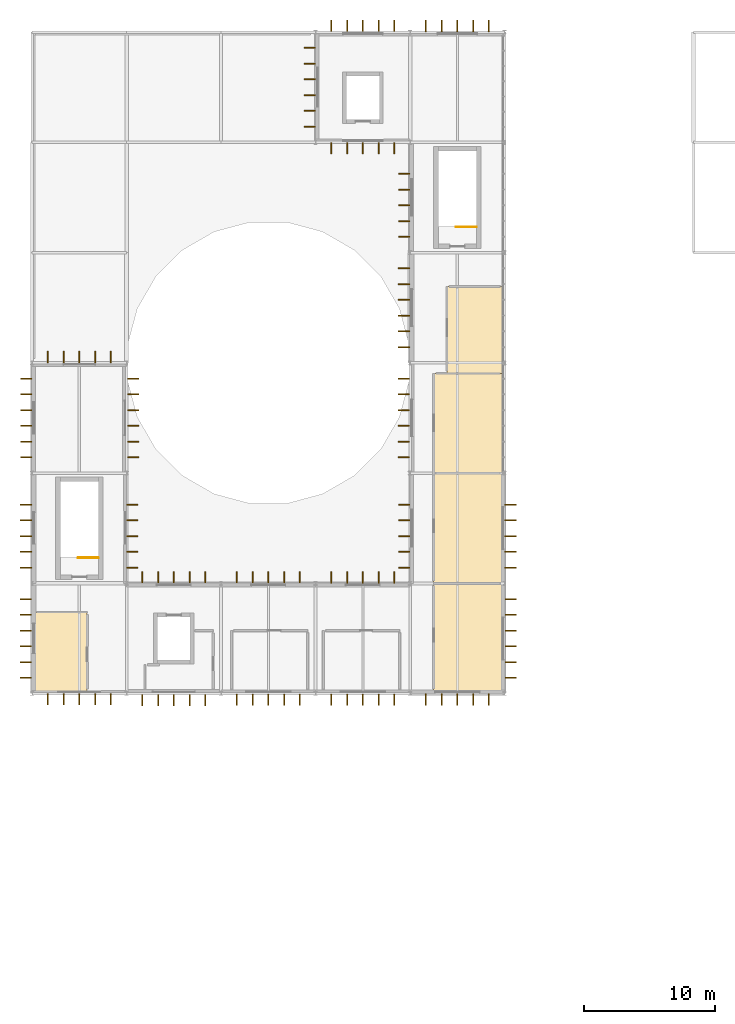
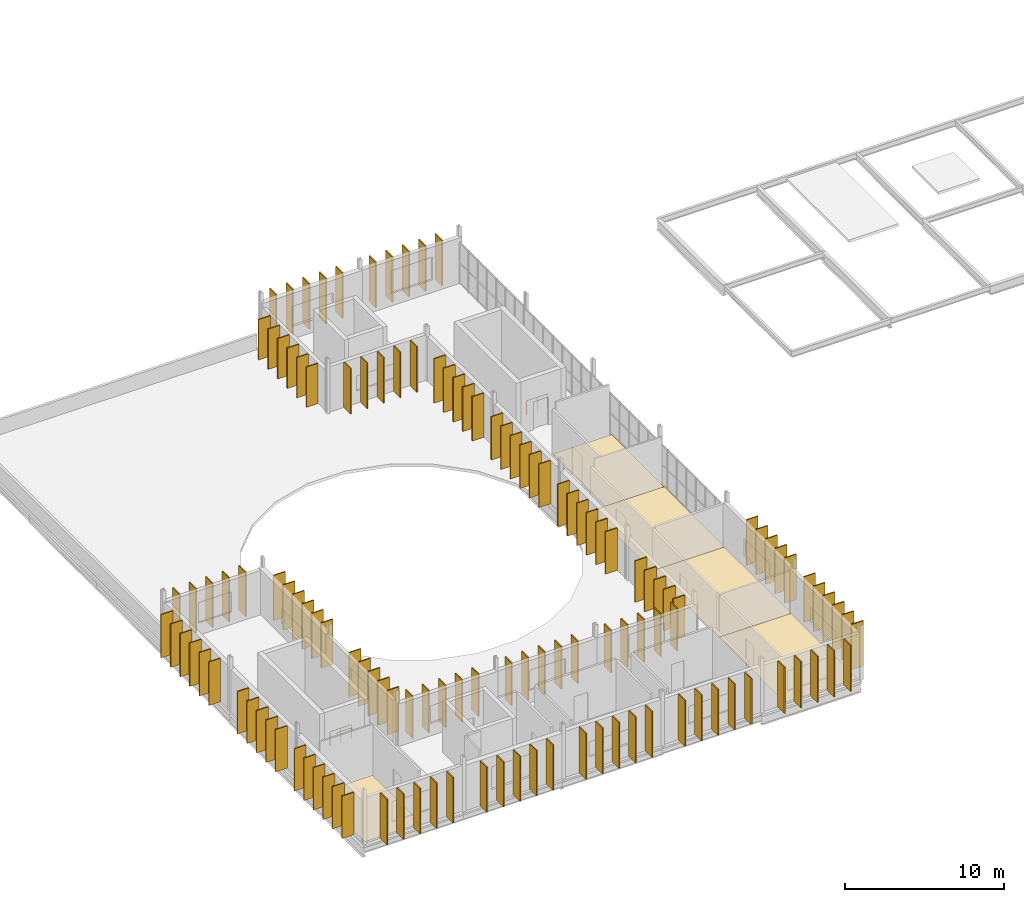
# One storey, part 18 of 18: 127 shading devices, 5 coverings, 2 railings.
"""IFC4 building model written with IfcOpenShell, lengths in metres."""

from ifc_helpers import new_model, si_unit, direction, frame, origin, origin_2d, place, context, subcontext, project, spatial, polyline, rectangle, circle, outline, extrude, material, layer, layer_set, type_object, element, save


model = new_model("IFC4")

# Units and contexts
model_context = context("Model", 3, precision=1e-05, world=origin(), true_north=direction((0.0, 1.0)))
body_context = subcontext(model_context, "Body", "Model", "MODEL_VIEW")
ifc_project = project(units=[si_unit("LENGTHUNIT", "METRE"), si_unit("AREAUNIT", "SQUARE_METRE"), si_unit("VOLUMEUNIT", "CUBIC_METRE"), si_unit("PLANEANGLEUNIT", "RADIAN"), si_unit("MASSUNIT", "GRAM", prefix="KILO")], contexts=[model_context])

# Site, building, storey
site_placement = place(None, origin())
site = spatial("IfcSite", under=ifc_project, at=site_placement, CompositionType="ELEMENT")
building_placement = place(site_placement, origin())
building = spatial("IfcBuilding", under=site, at=building_placement, Name="Qelthora Terrace Specialist Clinic", CompositionType="ELEMENT")
storey_placement = place(building_placement, frame((0.0, 0.0, 21.60009765625)))
storey = spatial("IfcBuildingStorey", under=building, at=storey_placement, Name="L05", CompositionType="ELEMENT", Elevation=21.60009765625)

# Coverings
ifc_material_1 = material(Name="Antimicrobial clinical linoleum flooring", Category="other")
ifc_layer = layer(ifc_material_1, 0.011962890625)
ifc_layer_set = layer_set([ifc_layer], Name="Antimicrobial clinical linoleum flooring")
covering_type = type_object("IfcCoveringType", Name="COV-FLR-LINO-12", PredefinedType="FLOORING", material=ifc_layer_set)
covering_1_placement = place(storey_placement, origin())
element("IfcCovering", 1, at=covering_1_placement, inside=storey, type_object=covering_type, Name="Recovery Family Quiet Lounge L05-01 resilient linoleum flooring", PredefinedType="FLOORING", context=body_context, shape_type="SweptSolid", body=[
    extrude(outline(polyline([(7.35009765625, 58.929931640625), (7.35009765625, 65.0), (11.39990234375, 65.0), (11.39990234375, 58.929931640625), (7.35009765625, 58.929931640625)])), origin(), (0.0, 0.0, 1.0), 0.011962890625),
])
covering_2_placement = place(storey_placement, origin())
element("IfcCovering", 2, at=covering_2_placement, inside=storey, type_object=covering_type, Name="Post-Procedure Observation Suite L05-08 resilient linoleum flooring", PredefinedType="FLOORING", context=body_context, shape_type="SweptSolid", body=[
    extrude(outline(polyline([(37.800048828125, 67.199951171875), (43.050048828125, 67.199951171875), (43.050048828125, 58.929931640625), (37.800048828125, 58.929931640625), (37.800048828125, 67.199951171875)])), origin(), (0.0, 0.0, 1.0), 0.011962890625),
])
covering_3_placement = place(storey_placement, origin())
element("IfcCovering", 3, at=covering_3_placement, inside=storey, type_object=covering_type, Name="Gable Day-Recovery House Suites West L05-02 resilient linoleum flooring", PredefinedType="FLOORING", context=body_context, shape_type="SweptSolid", body=[
    extrude(outline(polyline([(37.800048828125, 67.205078125), (37.800048828125, 75.60009765625), (43.050048828125, 75.60009765625), (43.050048828125, 67.205078125), (37.800048828125, 67.205078125)])), origin(), (0.0, 0.0, 1.0), 0.011962890625),
])
covering_4_placement = place(storey_placement, origin())
element("IfcCovering", 4, at=covering_4_placement, inside=storey, type_object=covering_type, Name="Gable Day-Recovery House Suites East L05-03 resilient linoleum flooring", PredefinedType="FLOORING", context=body_context, shape_type="SweptSolid", body=[
    extrude(outline(polyline([(37.800048828125, 75.60498046875), (37.800048828125, 83.199951171875), (43.050048828125, 83.199951171875), (43.050048828125, 75.60498046875), (37.800048828125, 75.60498046875)])), origin(), (0.0, 0.0, 1.0), 0.011962890625),
])
covering_5_placement = place(storey_placement, origin())
element("IfcCovering", 5, at=covering_5_placement, inside=storey, type_object=covering_type, Name="Glazed Central Nurse Monitoring Station L05-04 resilient linoleum flooring", PredefinedType="FLOORING", context=body_context, shape_type="SweptSolid", body=[
    extrude(outline(polyline([(38.800048828125, 83.205078125), (38.800048828125, 89.800048828125), (43.050048828125, 89.800048828125), (43.050048828125, 83.205078125), (38.800048828125, 83.205078125)])), origin(), (0.0, 0.0, 1.0), 0.011962890625),
])

# Railings
ifc_material_2 = material(Name="Steel S355", Category="steel")
railing_type = type_object("IfcRailingType", Name="RAL-GD-1100-S355", PredefinedType="GUARDRAIL", material=ifc_material_2)
for number, where, name in (
    (6, (12.25, 69.14990234375, 0.0), "L05 ST-01 top well guard 1"),
    (7, (41.050048828125, 94.35009765625, 0.0), "L05 ST-02 top well guard 1"),
):
    element("IfcRailing", number, at=place(storey_placement, frame(where)), inside=storey, type_object=railing_type, Name=name, PredefinedType="GUARDRAIL", context=body_context, shape_type="SweptSolid", body=[
        extrude(circle(Radius=0.02392578125, at=origin_2d()), frame((0.0, 0.0, 1.076171875), z_axis=(-1.0, 0.0, 0.0), x_axis=(0.0, -1.0, 0.0)), (0.0, 0.0, 1.0), 1.550048828125),
        extrude(circle(Radius=0.02099609375, at=origin_2d()), origin(), (0.0, 0.0, 1.0), 1.052001953125),
        extrude(circle(Radius=0.02099609375, at=origin_2d()), frame((-0.77490234375, 0.0, 0.0)), (0.0, 0.0, 1.0), 1.052001953125),
        extrude(circle(Radius=0.02099609375, at=origin_2d()), frame((-1.550048828125, 0.0, 0.0)), (0.0, 0.0, 1.0), 1.052001953125),
    ])

# Shading devices
ifc_material_3 = material(Name="Glulam timber GL28h", Category="wood")
shading_device_type = type_object("IfcShadingDeviceType", Name="SHD-FIN-850", PredefinedType="USERDEFINED", material=ifc_material_3)
for number, where, z_axis, x_axis, name in (
    (8, (6.705078125, 60.0, 0.0), (0.0, 0.0, 1.0), (-1.0, 0.0, 0.0), "Exterior solar shading fin FIN-2034"),
    (9, (6.705078125, 61.199951171875, 0.0), (0.0, 0.0, 1.0), (-1.0, 0.0, 0.0), "Exterior solar shading fin FIN-2035"),
    (10, (6.705078125, 62.39990234375, 0.0), (0.0, 0.0, 1.0), (-1.0, 0.0, 0.0), "Exterior solar shading fin FIN-2036"),
    (11, (6.705078125, 63.60009765625, 0.0), (0.0, 0.0, 1.0), (-1.0, 0.0, 0.0), "Exterior solar shading fin FIN-2037"),
    (12, (6.705078125, 64.800048828125, 0.0), (0.0, 0.0, 1.0), (-1.0, 0.0, 0.0), "Exterior solar shading fin FIN-2038"),
    (13, (6.705078125, 66.0, 0.0), (0.0, 0.0, 1.0), (-1.0, 0.0, 0.0), "Exterior solar shading fin FIN-2039"),
    (14, (6.735107421875, 68.39990234375, 0.0), (0.0, 0.0, 1.0), (-1.0, 0.0, 0.0), "Exterior solar shading fin FIN-2040"),
    (15, (6.735107421875, 69.60009765625, 0.0), (0.0, 0.0, 1.0), (-1.0, 0.0, 0.0), "Exterior solar shading fin FIN-2041"),
    (16, (6.735107421875, 70.800048828125, 0.0), (0.0, 0.0, 1.0), (-1.0, 0.0, 0.0), "Exterior solar shading fin FIN-2042"),
    (17, (6.735107421875, 72.0, 0.0), (0.0, 0.0, 1.0), (-1.0, 0.0, 0.0), "Exterior solar shading fin FIN-2043"),
    (18, (6.735107421875, 73.199951171875, 0.0), (0.0, 0.0, 1.0), (-1.0, 0.0, 0.0), "Exterior solar shading fin FIN-2044"),
):
    element("IfcShadingDevice", number, at=place(storey_placement, frame(where, z_axis=z_axis, x_axis=x_axis)), inside=storey, type_object=shading_device_type, Name=name, ObjectType="FIN", PredefinedType="USERDEFINED", context=body_context, shape_type="SweptSolid", body=[
        extrude(rectangle(XDim=0.85009765625, YDim=0.080078125, at=origin_2d()), origin(), (0.0, 0.0, 1.0), 3.2490234375),
    ])
for number, where, z_axis, x_axis, name in (
    (19, (6.7451171875, 76.800048828125, 0.0), (0.0, 0.0, 1.0), (-1.0, 0.0, 0.0), "Exterior solar shading fin FIN-2045"),
    (20, (6.7451171875, 78.0, 0.0), (0.0, 0.0, 1.0), (-1.0, 0.0, 0.0), "Exterior solar shading fin FIN-2046"),
    (21, (6.7451171875, 79.199951171875, 0.0), (0.0, 0.0, 1.0), (-1.0, 0.0, 0.0), "Exterior solar shading fin FIN-2047"),
    (22, (6.7451171875, 80.39990234375, 0.0), (0.0, 0.0, 1.0), (-1.0, 0.0, 0.0), "Exterior solar shading fin FIN-2048"),
    (23, (6.7451171875, 81.60009765625, 0.0), (0.0, 0.0, 1.0), (-1.0, 0.0, 0.0), "Exterior solar shading fin FIN-2049"),
    (24, (6.7451171875, 82.800048828125, 0.0), (0.0, 0.0, 1.0), (-1.0, 0.0, 0.0), "Exterior solar shading fin FIN-2050"),
):
    element("IfcShadingDevice", number, at=place(storey_placement, frame(where, z_axis=z_axis, x_axis=x_axis)), inside=storey, type_object=shading_device_type, Name=name, ObjectType="FIN", PredefinedType="USERDEFINED", context=body_context, shape_type="SweptSolid", body=[
        extrude(rectangle(XDim=0.85009765625, YDim=0.080078125, at=origin_2d()), origin(), (0.0, 0.0, 1.0), 3.324951171875),
    ])
for number, where, z_axis, x_axis, name in (
    (25, (8.39990234375, 84.445068359375, 0.0), (0.0, 0.0, 1.0), (0.0, 1.0, 0.0), "Exterior solar shading fin FIN-2051"),
    (26, (9.60009765625, 84.445068359375, 0.0), (0.0, 0.0, 1.0), (0.0, 1.0, 0.0), "Exterior solar shading fin FIN-2052"),
    (27, (10.800048828125, 84.445068359375, 0.0), (0.0, 0.0, 1.0), (0.0, 1.0, 0.0), "Exterior solar shading fin FIN-2053"),
    (28, (12.0, 84.445068359375, 0.0), (0.0, 0.0, 1.0), (0.0, 1.0, 0.0), "Exterior solar shading fin FIN-2054"),
    (29, (13.199951171875, 84.445068359375, 0.0), (0.0, 0.0, 1.0), (0.0, 1.0, 0.0), "Exterior solar shading fin FIN-2055"),
    (30, (14.8349609375, 68.39990234375, 0.0), (0.0, 0.0, 1.0), (1.0, 0.0, 0.0), "Exterior solar shading fin FIN-2056"),
    (31, (14.8349609375, 69.60009765625, 0.0), (0.0, 0.0, 1.0), (1.0, 0.0, 0.0), "Exterior solar shading fin FIN-2057"),
    (32, (14.8349609375, 70.800048828125, 0.0), (0.0, 0.0, 1.0), (1.0, 0.0, 0.0), "Exterior solar shading fin FIN-2058"),
    (33, (14.8349609375, 72.0, 0.0), (0.0, 0.0, 1.0), (1.0, 0.0, 0.0), "Exterior solar shading fin FIN-2059"),
    (34, (14.8349609375, 73.199951171875, 0.0), (0.0, 0.0, 1.0), (1.0, 0.0, 0.0), "Exterior solar shading fin FIN-2060"),
):
    element("IfcShadingDevice", number, at=place(storey_placement, frame(where, z_axis=z_axis, x_axis=x_axis)), inside=storey, type_object=shading_device_type, Name=name, ObjectType="FIN", PredefinedType="USERDEFINED", context=body_context, shape_type="SweptSolid", body=[
        extrude(rectangle(XDim=0.85009765625, YDim=0.080078125, at=origin_2d()), origin(), (0.0, 0.0, 1.0), 3.405029296875),
    ])
for number, where, z_axis, x_axis, name in (
    (35, (14.89501953125, 76.800048828125, -0.000244140625), (0.0, 0.0, 1.0), (1.0, 0.0, 0.0), "Exterior solar shading fin FIN-2061"),
    (36, (14.89501953125, 78.0, -0.000244140625), (0.0, 0.0, 1.0), (1.0, 0.0, 0.0), "Exterior solar shading fin FIN-2062"),
    (37, (14.89501953125, 79.199951171875, -0.000244140625), (0.0, 0.0, 1.0), (1.0, 0.0, 0.0), "Exterior solar shading fin FIN-2063"),
    (38, (14.89501953125, 80.39990234375, -0.000244140625), (0.0, 0.0, 1.0), (1.0, 0.0, 0.0), "Exterior solar shading fin FIN-2064"),
    (39, (14.89501953125, 81.60009765625, -0.000244140625), (0.0, 0.0, 1.0), (1.0, 0.0, 0.0), "Exterior solar shading fin FIN-2065"),
    (40, (14.89501953125, 82.800048828125, -0.000244140625), (0.0, 0.0, 1.0), (1.0, 0.0, 0.0), "Exterior solar shading fin FIN-2066"),
):
    element("IfcShadingDevice", number, at=place(storey_placement, frame(where, z_axis=z_axis, x_axis=x_axis)), inside=storey, type_object=shading_device_type, Name=name, ObjectType="FIN", PredefinedType="USERDEFINED", context=body_context, shape_type="SweptSolid", body=[
        extrude(rectangle(XDim=0.85009765625, YDim=0.080078125, at=origin_2d()), origin(), (0.0, 0.0, 1.0), 3.47607421875),
    ])
for number, where, z_axis, x_axis, name in (
    (41, (15.60009765625, 67.6650390625, 0.0), (0.0, 0.0, 1.0), (0.0, 1.0, 0.0), "Exterior solar shading fin FIN-2067"),
    (42, (16.800048828125, 67.6650390625, 0.0), (0.0, 0.0, 1.0), (0.0, 1.0, 0.0), "Exterior solar shading fin FIN-2068"),
    (43, (18.0, 67.6650390625, 0.0), (0.0, 0.0, 1.0), (0.0, 1.0, 0.0), "Exterior solar shading fin FIN-2069"),
    (44, (19.199951171875, 67.6650390625, 0.0), (0.0, 0.0, 1.0), (0.0, 1.0, 0.0), "Exterior solar shading fin FIN-2070"),
    (45, (20.39990234375, 67.6650390625, 0.0), (0.0, 0.0, 1.0), (0.0, 1.0, 0.0), "Exterior solar shading fin FIN-2071"),
    (46, (22.800048828125, 67.655029296875, 0.0), (0.0, 0.0, 1.0), (0.0, 1.0, 0.0), "Exterior solar shading fin FIN-2072"),
    (47, (24.0, 67.655029296875, 0.0), (0.0, 0.0, 1.0), (0.0, 1.0, 0.0), "Exterior solar shading fin FIN-2073"),
    (48, (25.199951171875, 67.655029296875, 0.0), (0.0, 0.0, 1.0), (0.0, 1.0, 0.0), "Exterior solar shading fin FIN-2074"),
    (49, (26.39990234375, 67.655029296875, 0.0), (0.0, 0.0, 1.0), (0.0, 1.0, 0.0), "Exterior solar shading fin FIN-2075"),
    (50, (27.60009765625, 67.655029296875, 0.0), (0.0, 0.0, 1.0), (0.0, 1.0, 0.0), "Exterior solar shading fin FIN-2076"),
    (51, (30.0, 67.64501953125, 0.0), (0.0, 0.0, 1.0), (0.0, 1.0, 0.0), "Exterior solar shading fin FIN-2077"),
    (52, (31.199951171875, 67.64501953125, 0.0), (0.0, 0.0, 1.0), (0.0, 1.0, 0.0), "Exterior solar shading fin FIN-2078"),
    (53, (32.39990234375, 67.64501953125, 0.0), (0.0, 0.0, 1.0), (0.0, 1.0, 0.0), "Exterior solar shading fin FIN-2079"),
    (54, (33.60009765625, 67.64501953125, 0.0), (0.0, 0.0, 1.0), (0.0, 1.0, 0.0), "Exterior solar shading fin FIN-2080"),
    (55, (34.800048828125, 67.64501953125, 0.0), (0.0, 0.0, 1.0), (0.0, 1.0, 0.0), "Exterior solar shading fin FIN-2081"),
):
    element("IfcShadingDevice", number, at=place(storey_placement, frame(where, z_axis=z_axis, x_axis=x_axis)), inside=storey, type_object=shading_device_type, Name=name, ObjectType="FIN", PredefinedType="USERDEFINED", context=body_context, shape_type="SweptSolid", body=[
        extrude(rectangle(XDim=0.85009765625, YDim=0.080078125, at=origin_2d()), origin(), (0.0, 0.0, 1.0), 3.2490234375),
    ])
for number, where, z_axis, x_axis, name in (
    (56, (35.56494140625, 68.39990234375, 0.0), (0.0, 0.0, 1.0), (-1.0, 0.0, 0.0), "Exterior solar shading fin FIN-2082"),
    (57, (35.56494140625, 69.60009765625, 0.0), (0.0, 0.0, 1.0), (-1.0, 0.0, 0.0), "Exterior solar shading fin FIN-2083"),
    (58, (35.56494140625, 70.800048828125, 0.0), (0.0, 0.0, 1.0), (-1.0, 0.0, 0.0), "Exterior solar shading fin FIN-2084"),
    (59, (35.56494140625, 72.0, 0.0), (0.0, 0.0, 1.0), (-1.0, 0.0, 0.0), "Exterior solar shading fin FIN-2085"),
    (60, (35.56494140625, 73.199951171875, 0.0), (0.0, 0.0, 1.0), (-1.0, 0.0, 0.0), "Exterior solar shading fin FIN-2086"),
):
    element("IfcShadingDevice", number, at=place(storey_placement, frame(where, z_axis=z_axis, x_axis=x_axis)), inside=storey, type_object=shading_device_type, Name=name, ObjectType="FIN", PredefinedType="USERDEFINED", context=body_context, shape_type="SweptSolid", body=[
        extrude(rectangle(XDim=0.85009765625, YDim=0.080078125, at=origin_2d()), origin(), (0.0, 0.0, 1.0), 3.172119140625),
    ])
for number, where, z_axis, x_axis, name in (
    (61, (35.5048828125, 76.800048828125, 0.0), (0.0, 0.0, 1.0), (-1.0, 0.0, 0.0), "Exterior solar shading fin FIN-2087"),
    (62, (35.5048828125, 78.0, 0.0), (0.0, 0.0, 1.0), (-1.0, 0.0, 0.0), "Exterior solar shading fin FIN-2088"),
    (63, (35.5048828125, 79.199951171875, 0.0), (0.0, 0.0, 1.0), (-1.0, 0.0, 0.0), "Exterior solar shading fin FIN-2089"),
    (64, (35.5048828125, 80.39990234375, 0.0), (0.0, 0.0, 1.0), (-1.0, 0.0, 0.0), "Exterior solar shading fin FIN-2090"),
    (65, (35.5048828125, 81.60009765625, 0.0), (0.0, 0.0, 1.0), (-1.0, 0.0, 0.0), "Exterior solar shading fin FIN-2091"),
    (66, (35.5048828125, 82.800048828125, 0.0), (0.0, 0.0, 1.0), (-1.0, 0.0, 0.0), "Exterior solar shading fin FIN-2092"),
):
    element("IfcShadingDevice", number, at=place(storey_placement, frame(where, z_axis=z_axis, x_axis=x_axis)), inside=storey, type_object=shading_device_type, Name=name, ObjectType="FIN", PredefinedType="USERDEFINED", context=body_context, shape_type="SweptSolid", body=[
        extrude(rectangle(XDim=0.85009765625, YDim=0.080078125, at=origin_2d()), origin(), (0.0, 0.0, 1.0), 3.2490234375),
    ])
for number, where, z_axis, x_axis, name in (
    (67, (35.534912109375, 85.199951171875, 0.0), (0.0, 0.0, 1.0), (-1.0, 0.0, 0.0), "Exterior solar shading fin FIN-2093"),
    (68, (35.534912109375, 86.39990234375, 0.0), (0.0, 0.0, 1.0), (-1.0, 0.0, 0.0), "Exterior solar shading fin FIN-2094"),
    (69, (35.534912109375, 87.60009765625, 0.0), (0.0, 0.0, 1.0), (-1.0, 0.0, 0.0), "Exterior solar shading fin FIN-2095"),
    (70, (35.534912109375, 88.800048828125, 0.0), (0.0, 0.0, 1.0), (-1.0, 0.0, 0.0), "Exterior solar shading fin FIN-2096"),
    (71, (35.534912109375, 90.0, 0.0), (0.0, 0.0, 1.0), (-1.0, 0.0, 0.0), "Exterior solar shading fin FIN-2097"),
    (72, (35.534912109375, 91.199951171875, 0.0), (0.0, 0.0, 1.0), (-1.0, 0.0, 0.0), "Exterior solar shading fin FIN-2098"),
):
    element("IfcShadingDevice", number, at=place(storey_placement, frame(where, z_axis=z_axis, x_axis=x_axis)), inside=storey, type_object=shading_device_type, Name=name, ObjectType="FIN", PredefinedType="USERDEFINED", context=body_context, shape_type="SweptSolid", body=[
        extrude(rectangle(XDim=0.85009765625, YDim=0.080078125, at=origin_2d()), origin(), (0.0, 0.0, 1.0), 3.324951171875),
    ])
for number, where, z_axis, x_axis, name in (
    (73, (35.544921875, 93.60009765625, 0.0), (0.0, 0.0, 1.0), (-1.0, 0.0, 0.0), "Exterior solar shading fin FIN-2099"),
    (74, (35.544921875, 94.800048828125, 0.0), (0.0, 0.0, 1.0), (-1.0, 0.0, 0.0), "Exterior solar shading fin FIN-2100"),
    (75, (35.544921875, 96.0, 0.0), (0.0, 0.0, 1.0), (-1.0, 0.0, 0.0), "Exterior solar shading fin FIN-2101"),
    (76, (35.544921875, 97.199951171875, 0.0), (0.0, 0.0, 1.0), (-1.0, 0.0, 0.0), "Exterior solar shading fin FIN-2102"),
    (77, (35.544921875, 98.39990234375, 0.0), (0.0, 0.0, 1.0), (-1.0, 0.0, 0.0), "Exterior solar shading fin FIN-2103"),
):
    element("IfcShadingDevice", number, at=place(storey_placement, frame(where, z_axis=z_axis, x_axis=x_axis)), inside=storey, type_object=shading_device_type, Name=name, ObjectType="FIN", PredefinedType="USERDEFINED", context=body_context, shape_type="SweptSolid", body=[
        extrude(rectangle(XDim=0.85009765625, YDim=0.080078125, at=origin_2d()), origin(), (0.0, 0.0, 1.0), 3.39794921875),
    ])
for number, where, z_axis, x_axis, name in (
    (78, (30.0, 100.35498046875, 0.0), (0.0, 0.0, 1.0), (0.0, -1.0, 0.0), "Exterior solar shading fin FIN-2104"),
    (79, (31.199951171875, 100.35498046875, 0.0), (0.0, 0.0, 1.0), (0.0, -1.0, 0.0), "Exterior solar shading fin FIN-2105"),
    (80, (32.39990234375, 100.35498046875, 0.0), (0.0, 0.0, 1.0), (0.0, -1.0, 0.0), "Exterior solar shading fin FIN-2106"),
    (81, (33.60009765625, 100.35498046875, 0.0), (0.0, 0.0, 1.0), (0.0, -1.0, 0.0), "Exterior solar shading fin FIN-2107"),
    (82, (34.800048828125, 100.35498046875, 0.0), (0.0, 0.0, 1.0), (0.0, -1.0, 0.0), "Exterior solar shading fin FIN-2108"),
):
    element("IfcShadingDevice", number, at=place(storey_placement, frame(where, z_axis=z_axis, x_axis=x_axis)), inside=storey, type_object=shading_device_type, Name=name, ObjectType="FIN", PredefinedType="USERDEFINED", context=body_context, shape_type="SweptSolid", body=[
        extrude(rectangle(XDim=0.85009765625, YDim=0.080078125, at=origin_2d()), origin(), (0.0, 0.0, 1.0), 3.48193359375),
    ])
for number, where, z_axis, x_axis, name in (
    (83, (28.364990234375, 102.0, 0.0), (0.0, 0.0, 1.0), (-1.0, 0.0, 0.0), "Exterior solar shading fin FIN-2109"),
    (84, (28.364990234375, 103.199951171875, 0.0), (0.0, 0.0, 1.0), (-1.0, 0.0, 0.0), "Exterior solar shading fin FIN-2110"),
    (85, (28.364990234375, 104.39990234375, 0.0), (0.0, 0.0, 1.0), (-1.0, 0.0, 0.0), "Exterior solar shading fin FIN-2111"),
    (86, (28.364990234375, 105.60009765625, 0.0), (0.0, 0.0, 1.0), (-1.0, 0.0, 0.0), "Exterior solar shading fin FIN-2112"),
    (87, (28.364990234375, 106.800048828125, 0.0), (0.0, 0.0, 1.0), (-1.0, 0.0, 0.0), "Exterior solar shading fin FIN-2113"),
    (88, (28.364990234375, 108.0, 0.0), (0.0, 0.0, 1.0), (-1.0, 0.0, 0.0), "Exterior solar shading fin FIN-2114"),
):
    element("IfcShadingDevice", number, at=place(storey_placement, frame(where, z_axis=z_axis, x_axis=x_axis)), inside=storey, type_object=shading_device_type, Name=name, ObjectType="FIN", PredefinedType="USERDEFINED", context=body_context, shape_type="SweptSolid", body=[
        extrude(rectangle(XDim=0.85009765625, YDim=0.080078125, at=origin_2d()), origin(), (0.0, 0.0, 1.0), 3.091064453125),
    ])
for number, where, z_axis, x_axis, name in (
    (89, (30.0, 109.695068359375, 0.0), (0.0, 0.0, 1.0), (0.0, 1.0, 0.0), "Exterior solar shading fin FIN-2115"),
    (90, (31.199951171875, 109.695068359375, 0.0), (0.0, 0.0, 1.0), (0.0, 1.0, 0.0), "Exterior solar shading fin FIN-2116"),
    (91, (32.39990234375, 109.695068359375, 0.0), (0.0, 0.0, 1.0), (0.0, 1.0, 0.0), "Exterior solar shading fin FIN-2117"),
    (92, (33.60009765625, 109.695068359375, 0.0), (0.0, 0.0, 1.0), (0.0, 1.0, 0.0), "Exterior solar shading fin FIN-2118"),
    (93, (34.800048828125, 109.695068359375, 0.0), (0.0, 0.0, 1.0), (0.0, 1.0, 0.0), "Exterior solar shading fin FIN-2119"),
    (94, (37.199951171875, 109.6650390625, 0.0), (0.0, 0.0, 1.0), (0.0, 1.0, 0.0), "Exterior solar shading fin FIN-2120"),
    (95, (38.39990234375, 109.6650390625, 0.0), (0.0, 0.0, 1.0), (0.0, 1.0, 0.0), "Exterior solar shading fin FIN-2121"),
    (96, (39.60009765625, 109.6650390625, 0.0), (0.0, 0.0, 1.0), (0.0, 1.0, 0.0), "Exterior solar shading fin FIN-2122"),
    (97, (40.800048828125, 109.6650390625, 0.0), (0.0, 0.0, 1.0), (0.0, 1.0, 0.0), "Exterior solar shading fin FIN-2123"),
    (98, (42.0, 109.6650390625, 0.0), (0.0, 0.0, 1.0), (0.0, 1.0, 0.0), "Exterior solar shading fin FIN-2124"),
    (99, (43.655029296875, 60.0, 0.0), (0.0, 0.0, 1.0), (1.0, 0.0, 0.0), "Exterior solar shading fin FIN-2125"),
    (100, (43.655029296875, 61.199951171875, 0.0), (0.0, 0.0, 1.0), (1.0, 0.0, 0.0), "Exterior solar shading fin FIN-2126"),
    (101, (43.655029296875, 62.39990234375, 0.0), (0.0, 0.0, 1.0), (1.0, 0.0, 0.0), "Exterior solar shading fin FIN-2127"),
    (102, (43.655029296875, 63.60009765625, 0.0), (0.0, 0.0, 1.0), (1.0, 0.0, 0.0), "Exterior solar shading fin FIN-2128"),
    (103, (43.655029296875, 64.800048828125, 0.0), (0.0, 0.0, 1.0), (1.0, 0.0, 0.0), "Exterior solar shading fin FIN-2129"),
    (104, (43.655029296875, 66.0, 0.0), (0.0, 0.0, 1.0), (1.0, 0.0, 0.0), "Exterior solar shading fin FIN-2130"),
    (105, (43.64501953125, 68.39990234375, 0.0), (0.0, 0.0, 1.0), (1.0, 0.0, 0.0), "Exterior solar shading fin FIN-2131"),
    (106, (43.64501953125, 69.60009765625, 0.0), (0.0, 0.0, 1.0), (1.0, 0.0, 0.0), "Exterior solar shading fin FIN-2132"),
    (107, (43.64501953125, 70.800048828125, 0.0), (0.0, 0.0, 1.0), (1.0, 0.0, 0.0), "Exterior solar shading fin FIN-2133"),
    (108, (43.64501953125, 72.0, 0.0), (0.0, 0.0, 1.0), (1.0, 0.0, 0.0), "Exterior solar shading fin FIN-2134"),
    (109, (43.64501953125, 73.199951171875, 0.0), (0.0, 0.0, 1.0), (1.0, 0.0, 0.0), "Exterior solar shading fin FIN-2135"),
    (110, (8.39990234375, 58.364990234375, 0.0), (0.0, 0.0, 1.0), (0.0, -1.0, 0.0), "Exterior solar shading fin FIN-2136"),
    (111, (9.60009765625, 58.364990234375, 0.0), (0.0, 0.0, 1.0), (0.0, -1.0, 0.0), "Exterior solar shading fin FIN-2137"),
    (112, (10.800048828125, 58.364990234375, 0.0), (0.0, 0.0, 1.0), (0.0, -1.0, 0.0), "Exterior solar shading fin FIN-2138"),
    (113, (12.0, 58.364990234375, 0.0), (0.0, 0.0, 1.0), (0.0, -1.0, 0.0), "Exterior solar shading fin FIN-2139"),
    (114, (13.199951171875, 58.364990234375, 0.0), (0.0, 0.0, 1.0), (0.0, -1.0, 0.0), "Exterior solar shading fin FIN-2140"),
    (115, (15.60009765625, 58.304931640625, 0.0), (0.0, 0.0, 1.0), (0.0, -1.0, 0.0), "Exterior solar shading fin FIN-2141"),
    (116, (16.800048828125, 58.304931640625, 0.0), (0.0, 0.0, 1.0), (0.0, -1.0, 0.0), "Exterior solar shading fin FIN-2142"),
    (117, (18.0, 58.304931640625, 0.0), (0.0, 0.0, 1.0), (0.0, -1.0, 0.0), "Exterior solar shading fin FIN-2143"),
    (118, (19.199951171875, 58.304931640625, 0.0), (0.0, 0.0, 1.0), (0.0, -1.0, 0.0), "Exterior solar shading fin FIN-2144"),
    (119, (20.39990234375, 58.304931640625, 0.0), (0.0, 0.0, 1.0), (0.0, -1.0, 0.0), "Exterior solar shading fin FIN-2145"),
):
    element("IfcShadingDevice", number, at=place(storey_placement, frame(where, z_axis=z_axis, x_axis=x_axis)), inside=storey, type_object=shading_device_type, Name=name, ObjectType="FIN", PredefinedType="USERDEFINED", context=body_context, shape_type="SweptSolid", body=[
        extrude(rectangle(XDim=0.85009765625, YDim=0.080078125, at=origin_2d()), origin(), (0.0, 0.0, 1.0), 3.48193359375),
    ])
for number, where, z_axis, x_axis, name in (
    (120, (22.800048828125, 58.3349609375, 0.0), (0.0, 0.0, 1.0), (0.0, -1.0, 0.0), "Exterior solar shading fin FIN-2146"),
    (121, (24.0, 58.3349609375, 0.0), (0.0, 0.0, 1.0), (0.0, -1.0, 0.0), "Exterior solar shading fin FIN-2147"),
    (122, (25.199951171875, 58.3349609375, 0.0), (0.0, 0.0, 1.0), (0.0, -1.0, 0.0), "Exterior solar shading fin FIN-2148"),
    (123, (26.39990234375, 58.3349609375, 0.0), (0.0, 0.0, 1.0), (0.0, -1.0, 0.0), "Exterior solar shading fin FIN-2149"),
    (124, (27.60009765625, 58.3349609375, 0.0), (0.0, 0.0, 1.0), (0.0, -1.0, 0.0), "Exterior solar shading fin FIN-2150"),
    (125, (30.0, 58.344970703125, 0.0), (0.0, 0.0, 1.0), (0.0, -1.0, 0.0), "Exterior solar shading fin FIN-2151"),
    (126, (31.199951171875, 58.344970703125, 0.0), (0.0, 0.0, 1.0), (0.0, -1.0, 0.0), "Exterior solar shading fin FIN-2152"),
    (127, (32.39990234375, 58.344970703125, 0.0), (0.0, 0.0, 1.0), (0.0, -1.0, 0.0), "Exterior solar shading fin FIN-2153"),
    (128, (33.60009765625, 58.344970703125, 0.0), (0.0, 0.0, 1.0), (0.0, -1.0, 0.0), "Exterior solar shading fin FIN-2154"),
    (129, (34.800048828125, 58.344970703125, 0.0), (0.0, 0.0, 1.0), (0.0, -1.0, 0.0), "Exterior solar shading fin FIN-2155"),
    (130, (37.199951171875, 58.35498046875, 0.0), (0.0, 0.0, 1.0), (0.0, -1.0, 0.0), "Exterior solar shading fin FIN-2156"),
    (131, (38.39990234375, 58.35498046875, 0.0), (0.0, 0.0, 1.0), (0.0, -1.0, 0.0), "Exterior solar shading fin FIN-2157"),
    (132, (39.60009765625, 58.35498046875, 0.0), (0.0, 0.0, 1.0), (0.0, -1.0, 0.0), "Exterior solar shading fin FIN-2158"),
    (133, (40.800048828125, 58.35498046875, 0.0), (0.0, 0.0, 1.0), (0.0, -1.0, 0.0), "Exterior solar shading fin FIN-2159"),
    (134, (42.0, 58.35498046875, 0.0), (0.0, 0.0, 1.0), (0.0, -1.0, 0.0), "Exterior solar shading fin FIN-2160"),
):
    element("IfcShadingDevice", number, at=place(storey_placement, frame(where, z_axis=z_axis, x_axis=x_axis)), inside=storey, type_object=shading_device_type, Name=name, ObjectType="FIN", PredefinedType="USERDEFINED", context=body_context, shape_type="SweptSolid", body=[
        extrude(rectangle(XDim=0.85009765625, YDim=0.080078125, at=origin_2d()), origin(), (0.0, 0.0, 1.0), 3.529052734375),
    ])

save(model, "model.ifc")
